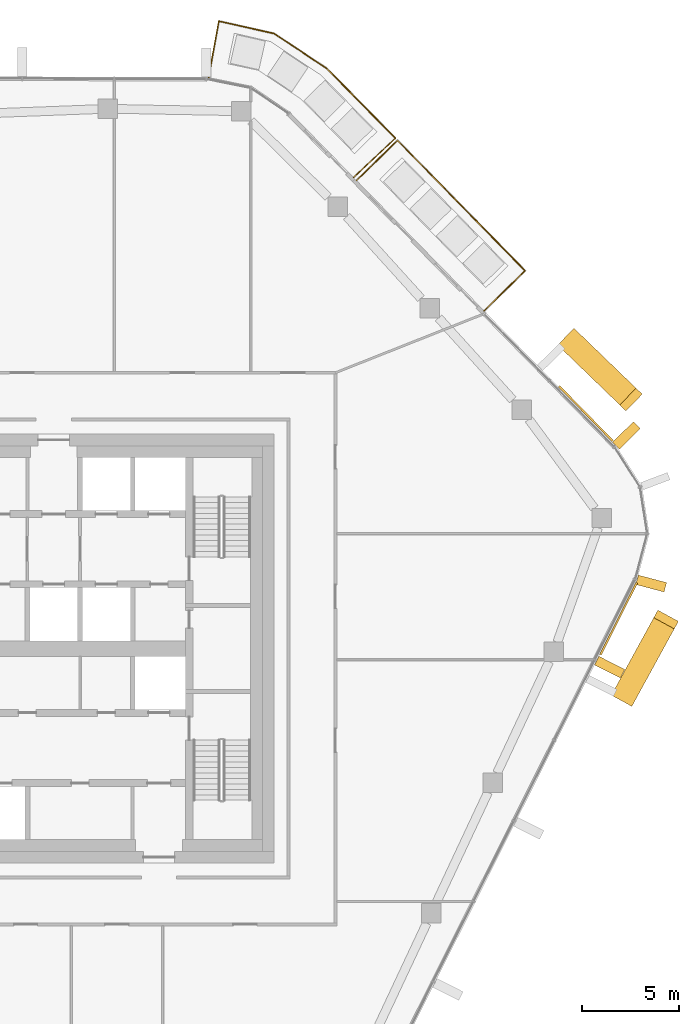
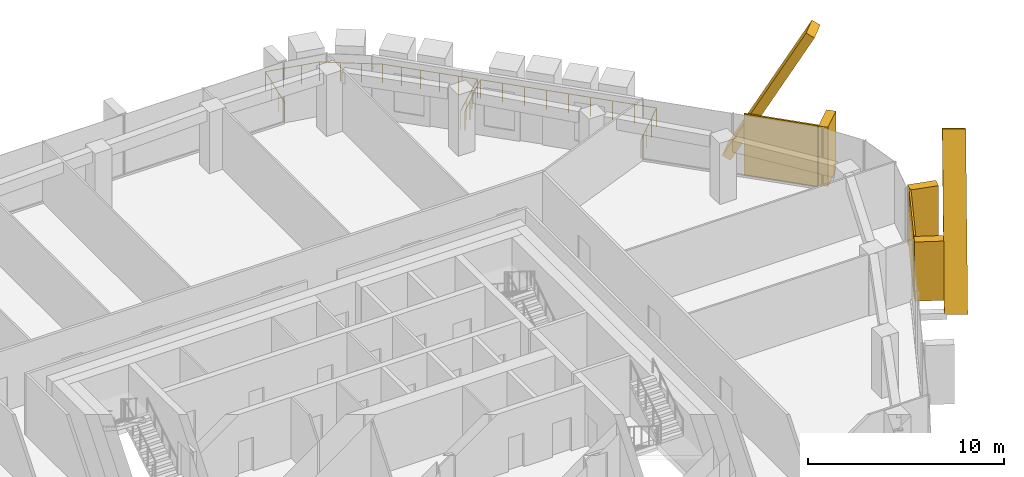
# One storey, part 24 of 24: 7 coverings, 2 railings, 3 elements without a shape of their own.
"""IFC4 building model written with IfcOpenShell, lengths in metres."""

from ifc_helpers import new_model, si_unit, direction, frame, origin, origin_2d, place, context, subcontext, project, spatial, rectangle, circle, extrude, material, layer, layer_set, material_profile, profile_set, type_object, element, aggregate, save


model = new_model("IFC4")

# Units and contexts
model_context = context("Model", 3, precision=1e-05, world=origin(), true_north=direction((0.0, 1.0)))
body_context = subcontext(model_context, "Body", "Model", "MODEL_VIEW")
ifc_project = project(units=[si_unit("LENGTHUNIT", "METRE"), si_unit("AREAUNIT", "SQUARE_METRE"), si_unit("VOLUMEUNIT", "CUBIC_METRE"), si_unit("PLANEANGLEUNIT", "RADIAN"), si_unit("MASSUNIT", "GRAM", prefix="KILO")], contexts=[model_context])

# Site, building, storey
site_placement = place(None, origin())
site = spatial("IfcSite", under=ifc_project, at=site_placement, CompositionType="ELEMENT")
building_placement = place(site_placement, origin())
building = spatial("IfcBuilding", under=site, at=building_placement, Name="Dongbaek Canopy Tower", CompositionType="ELEMENT")
storey_placement = place(building_placement, frame((0.0, 0.0, 311.0)))
storey = spatial("IfcBuildingStorey", under=building, at=storey_placement, Name="L66", CompositionType="ELEMENT", Elevation=311.0)

# Railings
ifc_material_1 = material(Name="Stainless steel", Category="steel")
railing_type = type_object("IfcRailingType", Name="Balcony balustrade 1200", PredefinedType="BALUSTRADE", material=ifc_material_1)
railing_1_placement = place(storey_placement, frame((24.77685546875, 17.32568359375, 0.0)))
element("IfcRailing", 1, at=railing_1_placement, inside=storey, type_object=railing_type, Name="Balcony guard L66 1", PredefinedType="BALUSTRADE", context=body_context, shape_type="SweptSolid", body=[
    extrude(circle(Radius=0.02392578125, at=origin_2d()), frame((0.0, 0.0, 1.17578125), z_axis=(0.714746485487, 0.699383629694, 0.0), x_axis=(-0.699383629694, 0.714746485487, 0.0)), (0.0, 0.0, 1.0), 2.93994140625),
    extrude(circle(Radius=0.02392578125, at=origin_2d()), frame((2.101318359375, 2.05615234375, 1.17578125), z_axis=(-0.699339380797, 0.714789780611, 0.0), x_axis=(-0.714789780611, -0.699339380797, 0.0)), (0.0, 0.0, 1.0), 9.3544921875),
    extrude(circle(Radius=0.02392578125, at=origin_2d()), frame((-4.440673828125, 8.74267578125, 1.17578125), z_axis=(-0.714787101051, -0.699342119546, 0.0), x_axis=(0.699342119546, -0.714787101051, 0.0)), (0.0, 0.0, 1.0), 2.940185546875),
    extrude(circle(Radius=0.02099609375, at=origin_2d()), origin(), (0.0, 0.0, 1.0), 1.15185546875),
    extrude(circle(Radius=0.02099609375, at=origin_2d()), frame((0.700439453125, 0.685302734375, 0.0)), (0.0, 0.0, 1.0), 1.15185546875),
    extrude(circle(Radius=0.02099609375, at=origin_2d()), frame((1.40087890625, 1.370849609375, 0.0)), (0.0, 0.0, 1.0), 1.15185546875),
    extrude(circle(Radius=0.02099609375, at=origin_2d()), frame((2.101318359375, 2.05615234375, 0.0)), (0.0, 0.0, 1.0), 1.15185546875),
    extrude(circle(Radius=0.02099609375, at=origin_2d()), frame((1.28369140625, 2.89208984375, 0.0)), (0.0, 0.0, 1.0), 1.15185546875),
    extrude(circle(Radius=0.02099609375, at=origin_2d()), frame((0.4658203125, 3.727783203125, 0.0)), (0.0, 0.0, 1.0), 1.15185546875),
    extrude(circle(Radius=0.02099609375, at=origin_2d()), frame((-0.35205078125, 4.5634765625, 0.0)), (0.0, 0.0, 1.0), 1.15185546875),
    extrude(circle(Radius=0.02099609375, at=origin_2d()), frame((-1.169677734375, 5.3994140625, 0.0)), (0.0, 0.0, 1.0), 1.15185546875),
    extrude(circle(Radius=0.02099609375, at=origin_2d()), frame((-1.9873046875, 6.2353515625, 0.0)), (0.0, 0.0, 1.0), 1.15185546875),
    extrude(circle(Radius=0.02099609375, at=origin_2d()), frame((-2.80517578125, 7.071044921875, 0.0)), (0.0, 0.0, 1.0), 1.15185546875),
    extrude(circle(Radius=0.02099609375, at=origin_2d()), frame((-3.623046875, 7.90673828125, 0.0)), (0.0, 0.0, 1.0), 1.15185546875),
    extrude(circle(Radius=0.02099609375, at=origin_2d()), frame((-4.440673828125, 8.74267578125, 0.0)), (0.0, 0.0, 1.0), 1.15185546875),
    extrude(circle(Radius=0.02099609375, at=origin_2d()), frame((-5.14111328125, 8.057373046875, 0.0)), (0.0, 0.0, 1.0), 1.15185546875),
    extrude(circle(Radius=0.02099609375, at=origin_2d()), frame((-5.841796875, 7.371826171875, 0.0)), (0.0, 0.0, 1.0), 1.15185546875),
    extrude(circle(Radius=0.02099609375, at=origin_2d()), frame((-6.542236328125, 6.6865234375, 0.0)), (0.0, 0.0, 1.0), 1.15185546875),
])
railing_2_placement = place(storey_placement, frame((18.080810546875, 24.16943359375, 0.0)))
element("IfcRailing", 2, at=railing_2_placement, inside=storey, type_object=railing_type, Name="Balcony guard L66 5", PredefinedType="BALUSTRADE", context=body_context, shape_type="SweptSolid", body=[
    extrude(circle(Radius=0.02392578125, at=origin_2d()), frame((0.0, 0.0, 1.17578125), z_axis=(0.728886991978, 0.68463402846, 0.0), x_axis=(-0.68463402846, 0.728886991978, 0.0)), (0.0, 0.0, 1.0), 2.9404296875),
    extrude(circle(Radius=0.02392578125, at=origin_2d()), frame((2.143310546875, 2.01318359375, 1.17578125), z_axis=(-0.701403600753, 0.71276432911, 0.0), x_axis=(-0.71276432911, -0.701403600753, 0.0)), (0.0, 0.0, 1.0), 5.028564453125),
    extrude(circle(Radius=0.02392578125, at=origin_2d()), frame((-1.3837890625, 5.597412109375, 1.17578125), z_axis=(-0.834016900205, 0.551738896737, 0.0), x_axis=(-0.551738896737, -0.834016900205, 0.0)), (0.0, 0.0, 1.0), 3.23828125),
    extrude(circle(Radius=0.02392578125, at=origin_2d()), frame((-4.08447265625, 7.384033203125, 1.17578125), z_axis=(-0.975762905235, 0.218830420112, 0.0), x_axis=(-0.218830420112, -0.975762905235, 0.0)), (0.0, 0.0, 1.0), 2.8974609375),
    extrude(circle(Radius=0.02392578125, at=origin_2d()), frame((-6.91162109375, 8.01806640625, 1.17578125), z_axis=(-0.179338414791, -0.983787442988, 0.0), x_axis=(0.983787442988, -0.179338414791, 0.0)), (0.0, 0.0, 1.0), 2.9404296875),
    extrude(circle(Radius=0.02099609375, at=origin_2d()), origin(), (0.0, 0.0, 1.0), 1.15185546875),
    extrude(circle(Radius=0.02099609375, at=origin_2d()), frame((0.71435546875, 0.671142578125, 0.0)), (0.0, 0.0, 1.0), 1.15185546875),
    extrude(circle(Radius=0.02099609375, at=origin_2d()), frame((1.428955078125, 1.342041015625, 0.0)), (0.0, 0.0, 1.0), 1.15185546875),
    extrude(circle(Radius=0.02099609375, at=origin_2d()), frame((2.143310546875, 2.01318359375, 0.0)), (0.0, 0.0, 1.0), 1.15185546875),
    extrude(circle(Radius=0.02099609375, at=origin_2d()), frame((1.43798828125, 2.72998046875, 0.0)), (0.0, 0.0, 1.0), 1.15185546875),
    extrude(circle(Radius=0.02099609375, at=origin_2d()), frame((0.732421875, 3.44677734375, 0.0)), (0.0, 0.0, 1.0), 1.15185546875),
    extrude(circle(Radius=0.02099609375, at=origin_2d()), frame((0.027099609375, 4.163818359375, 0.0)), (0.0, 0.0, 1.0), 1.15185546875),
    extrude(circle(Radius=0.02099609375, at=origin_2d()), frame((-0.678466796875, 4.880615234375, 0.0)), (0.0, 0.0, 1.0), 1.15185546875),
    extrude(circle(Radius=0.02099609375, at=origin_2d()), frame((-1.3837890625, 5.597412109375, 0.0)), (0.0, 0.0, 1.0), 1.15185546875),
    extrude(circle(Radius=0.02099609375, at=origin_2d()), frame((-2.283935546875, 6.19287109375, 0.0)), (0.0, 0.0, 1.0), 1.15185546875),
    extrude(circle(Radius=0.02099609375, at=origin_2d()), frame((-3.184326171875, 6.78857421875, 0.0)), (0.0, 0.0, 1.0), 1.15185546875),
    extrude(circle(Radius=0.02099609375, at=origin_2d()), frame((-4.08447265625, 7.384033203125, 0.0)), (0.0, 0.0, 1.0), 1.15185546875),
    extrude(circle(Radius=0.02099609375, at=origin_2d()), frame((-5.02685546875, 7.595458984375, 0.0)), (0.0, 0.0, 1.0), 1.15185546875),
    extrude(circle(Radius=0.02099609375, at=origin_2d()), frame((-5.96923828125, 7.806640625, 0.0)), (0.0, 0.0, 1.0), 1.15185546875),
    extrude(circle(Radius=0.02099609375, at=origin_2d()), frame((-6.91162109375, 8.01806640625, 0.0)), (0.0, 0.0, 1.0), 1.15185546875),
    extrude(circle(Radius=0.02099609375, at=origin_2d()), frame((-7.08740234375, 7.0537109375, 0.0)), (0.0, 0.0, 1.0), 1.15185546875),
    extrude(circle(Radius=0.02099609375, at=origin_2d()), frame((-7.26318359375, 6.089599609375, 0.0)), (0.0, 0.0, 1.0), 1.15185546875),
    extrude(circle(Radius=0.02099609375, at=origin_2d()), frame((-7.43896484375, 5.125244140625, 0.0)), (0.0, 0.0, 1.0), 1.15185546875),
])

# Curtain wall, covering
ifc_material_2 = material(Name="Aluminium 6063-T6 pale anodised", Category="aluminium")
ifc_layer_1 = layer(ifc_material_2, 0.199951171875)
ifc_layer_set_1 = layer_set([ifc_layer_1], Name="CW-1 unitised tower curtain wall")
curtain_wall_type = type_object("IfcCurtainWallType", Name="CW-1 unitised tower curtain wall", PredefinedType="NOTDEFINED", material=ifc_layer_set_1)
curtain_wall_1_placement = place(storey_placement, origin())
curtain_wall_1 = element("IfcCurtainWall", 3, at=curtain_wall_1_placement, inside=storey, type_object=curtain_wall_type, Name="CW-1 curtain wall F5.1", PredefinedType="NOTDEFINED")
ifc_material_3 = material(Name="Aluminium 6063-T6 pale metal fin", Category="aluminium")
ifc_material_profile_1 = material_profile(ifc_material_3, rectangle(XDim=1.199951171875, YDim=0.5, at=origin_2d()), Name="Crease fin CF1 500 x 1200 pale metal")
ifc_profile_set_1 = profile_set([ifc_material_profile_1], Name="Aluminium 6063-T6 pale metal fin")
covering_type_1 = type_object("IfcCoveringType", Name="Crease fin CF1 500 x 1200 pale metal", PredefinedType="CLADDING", material=ifc_profile_set_1)
covering_1_placement = place(storey_placement, frame((31.93603515625, -2.486328125, -0.18994140625), z_axis=(0.228000331913, 0.416610882454, 0.880029102512), x_axis=(-0.877223727611, 0.480081796901, 0.0)))
covering_1 = element("IfcCovering", 4, at=covering_1_placement, type_object=covering_type_1, Name="Crease fin L66 L68 F5", PredefinedType="CLADDING", context=body_context, shape_type="SweptSolid", body=[
    extrude(rectangle(XDim=1.199951171875, YDim=0.5, at=origin_2d()), origin(), (0.0, 0.0, 1.0), 9.544921875),
])

curtain_wall_2_placement = place(storey_placement, origin())
curtain_wall_2 = element("IfcCurtainWall", 5, at=curtain_wall_2_placement, inside=storey, type_object=curtain_wall_type, Name="CW-1 curtain wall F0.1", PredefinedType="NOTDEFINED")
covering_2_placement = place(storey_placement, frame((29.127685546875, 15.84912109375, -0.18994140625), z_axis=(0.335571131307, -0.323872934498, 0.884589361304), x_axis=(0.694453812465, 0.719537283504, 0.0)))
covering_2 = element("IfcCovering", 6, at=covering_2_placement, type_object=covering_type_1, Name="Crease fin L66 L68 F0", PredefinedType="CLADDING", context=body_context, shape_type="SweptSolid", body=[
    extrude(rectangle(XDim=1.199951171875, YDim=0.5, at=origin_2d()), origin(), (0.0, 0.0, 1.0), 9.495849609375),
])

# Covering
ifc_material_4 = material(Name="Perforated aluminium 6063-T6 pale metal screen", Category="aluminium")
ifc_layer_2 = layer(ifc_material_4, 0.10009765625)
ifc_layer_set_2 = layer_set([ifc_layer_2], Name="Facet screen FS1 100 pale metal")
covering_type_2 = type_object("IfcCoveringType", Name="Facet screen FS1 100 pale metal", PredefinedType="CLADDING", material=ifc_layer_set_2)
covering_3_placement = place(storey_placement, frame((31.6787109375, 1.53076171875, 0.0), z_axis=(0.0, 0.0, 1.0), x_axis=(0.448598489649, 0.89373340269, 0.0)))
covering_3 = element("IfcCovering", 7, at=covering_3_placement, type_object=covering_type_2, Name="Facet screen L66 F5", PredefinedType="CLADDING", context=body_context, shape_type="SweptSolid", body=[
    extrude(rectangle(XDim=4.143798828125, YDim=0.10009765625, at=origin_2d()), origin(), (0.0, 0.0, 1.0), 3.820068359375),
])

covering_4_placement = place(storey_placement, frame((30.000244140625, 12.052734375, 0.0), z_axis=(0.0, 0.0, 1.0), x_axis=(-0.699349031354, 0.714780338527, 0.0)))
covering_4 = element("IfcCovering", 8, at=covering_4_placement, type_object=covering_type_2, Name="Facet screen L66 F0", PredefinedType="CLADDING", context=body_context, shape_type="SweptSolid", body=[
    extrude(rectangle(XDim=3.92431640625, YDim=0.10009765625, at=origin_2d()), origin(), (0.0, 0.0, 1.0), 3.820068359375),
])

# Curtain wall, covering
curtain_wall_3_placement = place(storey_placement, origin())
curtain_wall_3 = element("IfcCurtainWall", 9, at=curtain_wall_3_placement, inside=storey, type_object=curtain_wall_type, Name="CW-1 curtain wall K0.1", PredefinedType="NOTDEFINED")
ifc_material_5 = material(Name="Aluminium 6063-T6 pale metal fin", Category="aluminium")
ifc_material_profile_2 = material_profile(ifc_material_5, rectangle(XDim=1.5, YDim=0.5, at=origin_2d()), Name="Fin FN1 500 x 1500 pale metal")
ifc_profile_set_2 = profile_set([ifc_material_profile_2], Name="Aluminium 6063-T6 pale metal fin")
covering_type_3 = type_object("IfcCoveringType", Name="Fin FN1 500 x 1500 pale metal", PredefinedType="CLADDING", material=ifc_profile_set_2)
covering_5_placement = place(storey_placement, frame((33.35107421875, 3.333984375, 0.1201171875), z_axis=(0.0, 0.0, 1.0), x_axis=(0.966753373375, -0.255710608049, 0.0)))
covering_5 = element("IfcCovering", 10, at=covering_5_placement, type_object=covering_type_3, Name="Fin K0.1.1", PredefinedType="CLADDING", context=body_context, shape_type="SweptSolid", body=[
    extrude(rectangle(XDim=1.5, YDim=0.5, at=origin_2d()), origin(), (0.0, 0.0, 1.0), 3.699951171875),
])
aggregate(curtain_wall_3, [covering_5])

# Covering
covering_6_placement = place(storey_placement, frame((32.07861328125, 10.935302734375, 0.1201171875), z_axis=(0.0, 0.0, 1.0), x_axis=(0.714780141035, 0.699349233203, 0.0)))
covering_6 = element("IfcCovering", 11, at=covering_6_placement, type_object=covering_type_3, Name="Fin F0.1.1", PredefinedType="CLADDING", context=body_context, shape_type="SweptSolid", body=[
    extrude(rectangle(XDim=1.5, YDim=0.5, at=origin_2d()), origin(), (0.0, 0.0, 1.0), 3.699951171875),
])

aggregate(curtain_wall_2, [covering_6, covering_2, covering_4])

covering_7_placement = place(storey_placement, frame((31.21875, -0.95458984375, 0.1201171875), z_axis=(0.0, 0.0, 1.0), x_axis=(0.893733414129, -0.448598466859, 0.0)))
covering_7 = element("IfcCovering", 12, at=covering_7_placement, type_object=covering_type_3, Name="Fin F5.1.7", PredefinedType="CLADDING", context=body_context, shape_type="SweptSolid", body=[
    extrude(rectangle(XDim=1.5, YDim=0.5, at=origin_2d()), origin(), (0.0, 0.0, 1.0), 3.699951171875),
])

aggregate(curtain_wall_1, [covering_7, covering_1, covering_3])

save(model, "model.ifc")
